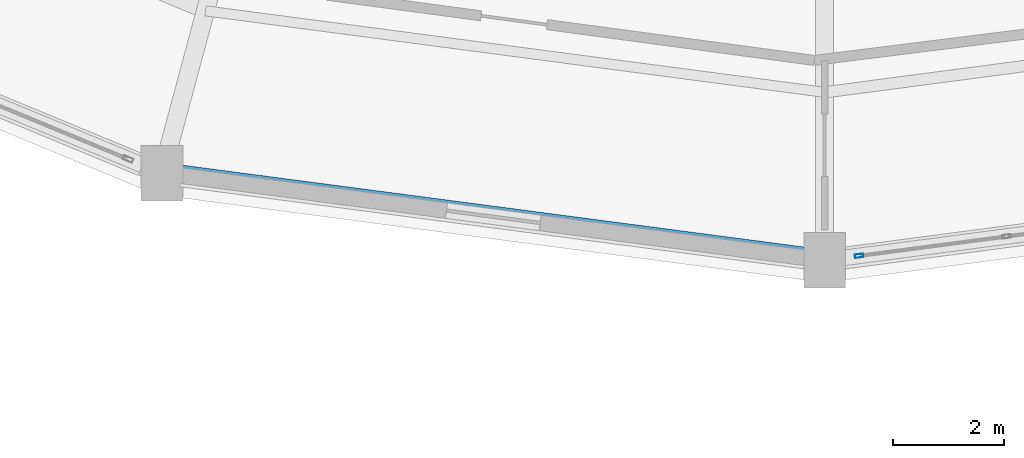
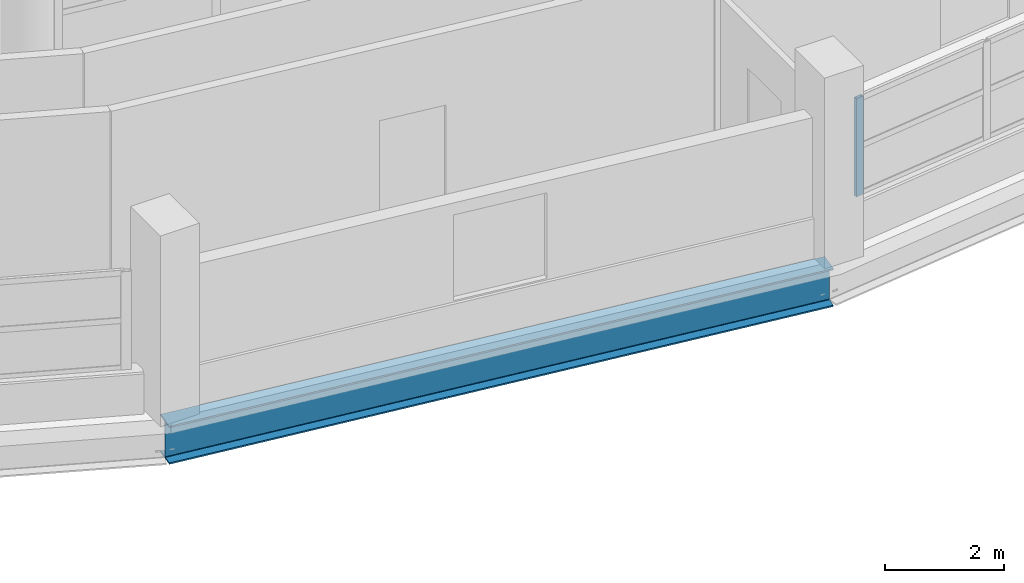
# One storey, part 21 of 88: 1 beam, 1 member, 1 element without a shape of its own.
"""IFC4 building model written with IfcOpenShell, lengths in metres."""

from ifc_helpers import new_model, si_unit, direction, frame, origin, origin_2d, place, context, subcontext, project, spatial, hollow_rectangle, i_section, extrude, material, layer, layer_set, material_profile, profile_set, type_object, element, aggregate, save


model = new_model("IFC4")

# Units and contexts
model_context = context("Model", 3, precision=1e-05, world=origin(), true_north=direction((0.0, 1.0)))
body_context = subcontext(model_context, "Body", "Model", "MODEL_VIEW")
ifc_project = project(units=[si_unit("LENGTHUNIT", "METRE"), si_unit("AREAUNIT", "SQUARE_METRE"), si_unit("VOLUMEUNIT", "CUBIC_METRE"), si_unit("PLANEANGLEUNIT", "RADIAN"), si_unit("MASSUNIT", "GRAM", prefix="KILO")], contexts=[model_context])

# Site, building, storey
site_placement = place(None, origin())
site = spatial("IfcSite", under=ifc_project, at=site_placement, CompositionType="ELEMENT")
building_placement = place(site_placement, origin())
building = spatial("IfcBuilding", under=site, at=building_placement, Name="Vespera Passage Community Centre", CompositionType="ELEMENT")
storey_placement = place(building_placement, frame((0.0, 0.0, 16.5)))
storey = spatial("IfcBuildingStorey", under=building, at=storey_placement, Name="L04", CompositionType="ELEMENT", Elevation=16.5)

# Beam
ifc_material_1 = material(Name="Steel ASTM A992 Grade 50", Category="steel")
ifc_material_profile_1 = material_profile(ifc_material_1, i_section(OverallWidth=0.382080078125, OverallDepth=0.779296875, WebThickness=0.01806640625, FlangeThickness=0.030029296875, FilletRadius=0.0166015625, at=origin_2d()), Name="W30X191")
ifc_profile_set_1 = profile_set([ifc_material_profile_1], Name="Steel ASTM A992 Grade 50")
beam_type = type_object("IfcBeamType", Name="BM-SP-W30X191E", PredefinedType="SPANDREL", material=ifc_profile_set_1)
beam_placement = place(storey_placement, frame((66.068359375, 20.970703125, -0.689697265625), z_axis=(0.991445178667, -0.130523782115, 0.0), x_axis=(0.130523782115, 0.991445178667, 0.0)))
element("IfcBeam", 1, at=beam_placement, inside=storey, type_object=beam_type, Name="V4 L04 Outer Spandrel 17", PredefinedType="SPANDREL", context=body_context, shape_type="SweptSolid", body=[
    extrude(i_section(OverallWidth=0.382080078125, OverallDepth=0.779296875, WebThickness=0.01806640625, FlangeThickness=0.030029296875, FilletRadius=0.0166015625, at=origin_2d()), origin(), (0.0, 0.0, 1.0), 12.03466796875),
])

# Curtain wall, member
ifc_material_2 = material(Name="Anodized aluminium 6063-T6", Category="aluminium")
ifc_layer = layer(ifc_material_2, 0.159912109375)
ifc_layer_set = layer_set([ifc_layer], Name="Anodized aluminium 6063-T6")
curtain_wall_type = type_object("IfcCurtainWallType", Name="CW-59E", PredefinedType="NOTDEFINED", material=ifc_layer_set)
curtain_wall_placement = place(storey_placement, origin())
curtain_wall = element("IfcCurtainWall", 2, at=curtain_wall_placement, inside=storey, type_object=curtain_wall_type, Name="V4 L04 Outer Ribbon Curtain Wall 18", PredefinedType="NOTDEFINED")
ifc_material_3 = material(Name="Anodized aluminium 6063-T6", Category="aluminium")
ifc_material_profile_2 = material_profile(ifc_material_3, hollow_rectangle(XDim=0.06494140625, YDim=0.14990234375, WallThickness=0.00390625, InnerFilletRadius=0.001953125, OuterFilletRadius=0.00390625, at=origin_2d()), Name="ALU150X65X4")
ifc_profile_set_2 = profile_set([ifc_material_profile_2], Name="Anodized aluminium 6063-T6")
member_type = type_object("IfcMemberType", Name="MB-CWM-150E", PredefinedType="MULLION", material=ifc_profile_set_2)
member_placement = place(storey_placement, frame((78.620361328125, 19.481689453125, 0.820068359375), z_axis=(0.0, 0.0, 1.0), x_axis=(0.130530818696, -0.991444252276, 0.0)))
member = element("IfcMember", 3, at=member_placement, type_object=member_type, Name="CW-59E mullion 5", PredefinedType="MULLION", context=body_context, shape_type="SweptSolid", body=[
    extrude(hollow_rectangle(XDim=0.06494140625, YDim=0.14990234375, WallThickness=0.00390625, InnerFilletRadius=0.001953125, OuterFilletRadius=0.00390625, at=origin_2d()), origin(), (0.0, 0.0, 1.0), 2.005615234375),
])
aggregate(curtain_wall, [member])

save(model, "model.ifc")
